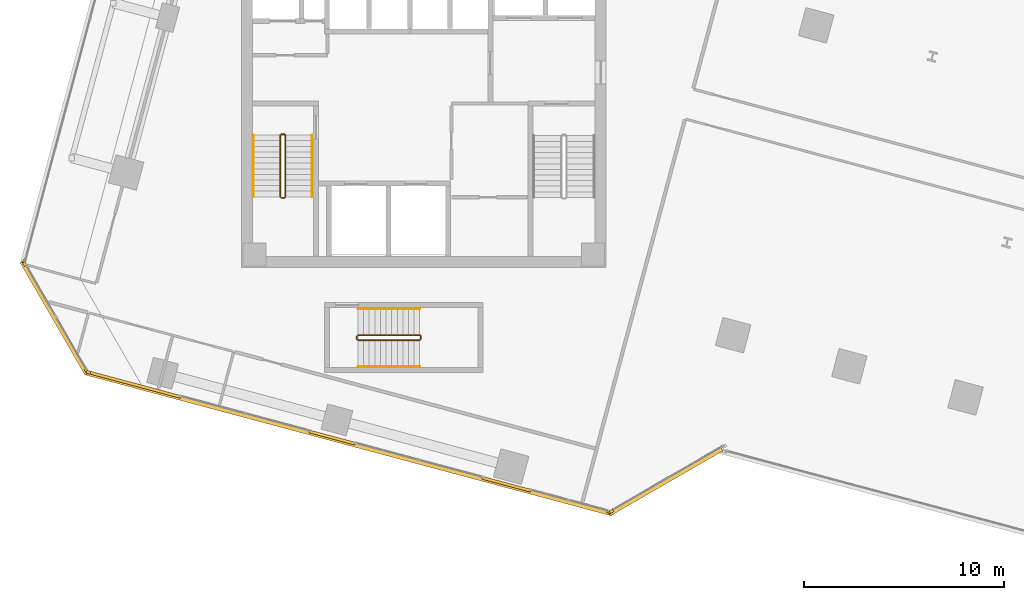
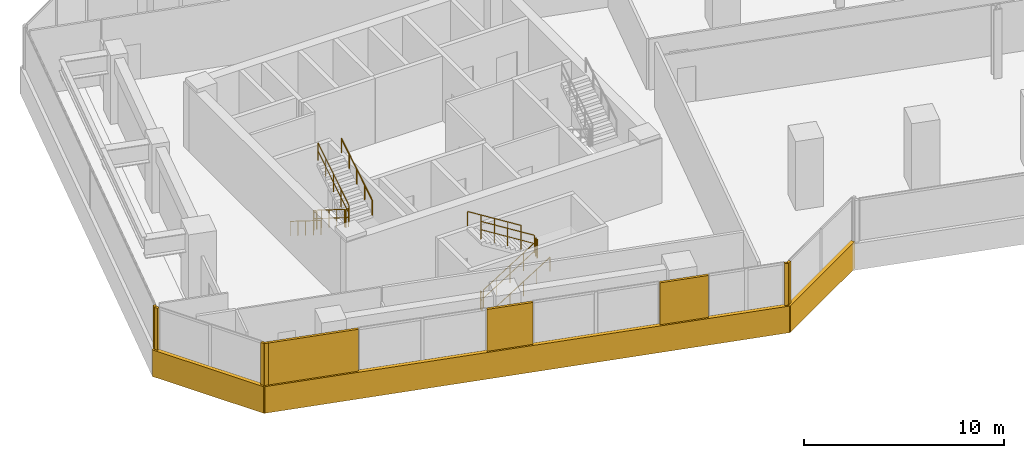
# One storey, part 22 of 26: 12 coverings, 12 railings.
"""IFC4 building model written with IfcOpenShell, lengths in metres."""

from ifc_helpers import new_model, si_unit, direction, frame, origin, origin_2d, place, context, subcontext, project, spatial, rectangle, circle, extrude, source, transform, mapped, material, layer, layer_set, type_object, element, save


model = new_model("IFC4")

# Units and contexts
model_context = context("Model", 3, precision=1e-05, world=origin(), true_north=direction((0.0, 1.0)))
body_context = subcontext(model_context, "Body", "Model", "MODEL_VIEW")
ifc_project = project(units=[si_unit("LENGTHUNIT", "METRE"), si_unit("AREAUNIT", "SQUARE_METRE"), si_unit("VOLUMEUNIT", "CUBIC_METRE"), si_unit("PLANEANGLEUNIT", "RADIAN"), si_unit("MASSUNIT", "GRAM", prefix="KILO")], contexts=[model_context])

# Site, building, storey
site_placement = place(None, origin())
site = spatial("IfcSite", under=ifc_project, at=site_placement, CompositionType="ELEMENT")
building_placement = place(site_placement, origin())
building = spatial("IfcBuilding", under=site, at=building_placement, Name="Torre Montelarca", CompositionType="ELEMENT")
storey_placement = place(building_placement, frame((0.0, 0.0, 100.0)))
storey = spatial("IfcBuildingStorey", under=building, at=storey_placement, Name="L22", CompositionType="ELEMENT", Elevation=100.0)

# Railings
ifc_material_1 = material(Name="Powder-coated steel ASTM A500 Grade C", Category="steel")
railing_type_1 = type_object("IfcRailingType", Name="RL-GUARD-1100", PredefinedType="BALUSTRADE", material=ifc_material_1)
railing_1_placement = place(storey_placement, frame((10.85009765625, 30.5, 0.175048828125)))
element("IfcRailing", 1, at=railing_1_placement, inside=storey, type_object=railing_type_1, Name="L22 ST1 stair guard 1", PredefinedType="BALUSTRADE", context=body_context, shape_type="SweptSolid", body=[
    extrude(circle(Radius=0.02392578125, at=origin_2d()), frame((0.0, 0.0, 1.076171875), z_axis=(0.0, -0.847998304005, 0.529998940003), x_axis=(1.0, 0.0, 0.0)), (0.0, 0.0, 1.0), 3.632080078125),
    extrude(circle(Radius=0.02099609375, at=origin_2d()), frame((0.0, 0.0, 0.572021484375), z_axis=(0.0, -0.847998304005, 0.529998940003), x_axis=(1.0, 0.0, 0.0)), (0.0, 0.0, 1.0), 3.632080078125),
    extrude(circle(Radius=0.02099609375, at=origin_2d()), origin(), (0.0, 0.0, 1.0), 1.052001953125),
    extrude(circle(Radius=0.02099609375, at=origin_2d()), frame((0.0, -0.77001953125, 0.481201171875)), (0.0, 0.0, 1.0), 1.052001953125),
    extrude(circle(Radius=0.02099609375, at=origin_2d()), frame((0.0, -1.5400390625, 0.96240234375)), (0.0, 0.0, 1.0), 1.052001953125),
    extrude(circle(Radius=0.02099609375, at=origin_2d()), frame((0.0, -2.31005859375, 1.44384765625)), (0.0, 0.0, 1.0), 1.052001953125),
    extrude(circle(Radius=0.02099609375, at=origin_2d()), frame((0.0, -3.080078125, 1.925048828125)), (0.0, 0.0, 1.0), 1.052001953125),
])
railing_2_placement = place(storey_placement, frame((10.89990234375, 27.3701171875, 2.10009765625)))
element("IfcRailing", 2, at=railing_2_placement, inside=storey, type_object=railing_type_1, Name="L22 ST1 stair guard 2", PredefinedType="BALUSTRADE", context=body_context, shape_type="SweptSolid", body=[
    extrude(circle(Radius=0.02392578125, at=origin_2d()), frame((0.0, 0.0, 1.076171875), z_axis=(1.0, 0.0, 0.0), x_axis=(0.0, 1.0, 0.0)), (0.0, 0.0, 1.0), 0.150146484375),
    extrude(circle(Radius=0.02099609375, at=origin_2d()), frame((0.0, 0.0, 0.572021484375), z_axis=(1.0, 0.0, 0.0), x_axis=(0.0, 1.0, 0.0)), (0.0, 0.0, 1.0), 0.150146484375),
    extrude(circle(Radius=0.02099609375, at=origin_2d()), origin(), (0.0, 0.0, 1.0), 1.052001953125),
    extrude(circle(Radius=0.02099609375, at=origin_2d()), frame((0.150146484375, 0.0, 0.0)), (0.0, 0.0, 1.0), 1.052001953125),
])
railing_3_placement = place(storey_placement, frame((11.10009765625, 27.419921875, 2.27490234375)))
element("IfcRailing", 3, at=railing_3_placement, inside=storey, type_object=railing_type_1, Name="L22 ST1 stair guard 3", PredefinedType="BALUSTRADE", context=body_context, shape_type="SweptSolid", body=[
    extrude(circle(Radius=0.02392578125, at=origin_2d()), frame((0.0, 0.0, 1.076171875), z_axis=(0.0, 0.847998304005, 0.529998940003), x_axis=(-1.0, 0.0, 0.0)), (0.0, 0.0, 1.0), 3.632080078125),
    extrude(circle(Radius=0.02099609375, at=origin_2d()), frame((0.0, 0.0, 0.572021484375), z_axis=(0.0, 0.847998304005, 0.529998940003), x_axis=(-1.0, 0.0, 0.0)), (0.0, 0.0, 1.0), 3.632080078125),
    extrude(circle(Radius=0.02099609375, at=origin_2d()), origin(), (0.0, 0.0, 1.0), 1.052001953125),
    extrude(circle(Radius=0.02099609375, at=origin_2d()), frame((0.0, 0.77001953125, 0.481201171875)), (0.0, 0.0, 1.0), 1.052001953125),
    extrude(circle(Radius=0.02099609375, at=origin_2d()), frame((0.0, 1.5400390625, 0.96240234375)), (0.0, 0.0, 1.0), 1.052001953125),
    extrude(circle(Radius=0.02099609375, at=origin_2d()), frame((0.0, 2.31005859375, 1.44384765625)), (0.0, 0.0, 1.0), 1.052001953125),
    extrude(circle(Radius=0.02099609375, at=origin_2d()), frame((0.0, 3.080078125, 1.925048828125)), (0.0, 0.0, 1.0), 1.052001953125),
])
railing_4_placement = place(storey_placement, frame((10.89990234375, 30.550048828125, 0.0)))
element("IfcRailing", 4, at=railing_4_placement, inside=storey, type_object=railing_type_1, Name="L22 ST1 stair guard 4", PredefinedType="BALUSTRADE", context=body_context, shape_type="SweptSolid", body=[
    extrude(circle(Radius=0.02392578125, at=origin_2d()), frame((0.0, 0.0, 1.076171875), z_axis=(1.0, 0.0, 0.0), x_axis=(0.0, 1.0, 0.0)), (0.0, 0.0, 1.0), 0.150146484375),
    extrude(circle(Radius=0.02099609375, at=origin_2d()), frame((0.0, 0.0, 0.572021484375), z_axis=(1.0, 0.0, 0.0), x_axis=(0.0, 1.0, 0.0)), (0.0, 0.0, 1.0), 0.150146484375),
    extrude(circle(Radius=0.02099609375, at=origin_2d()), origin(), (0.0, 0.0, 1.0), 1.052001953125),
    extrude(circle(Radius=0.02099609375, at=origin_2d()), frame((0.150146484375, 0.0, 0.0)), (0.0, 0.0, 1.0), 1.052001953125),
])
railing_5_placement = place(storey_placement, frame((14.719970703125, 20.27001953125, 0.175048828125)))
element("IfcRailing", 5, at=railing_5_placement, inside=storey, type_object=railing_type_1, Name="L22 ST3 stair guard 1", PredefinedType="BALUSTRADE", context=body_context, shape_type="SweptSolid", body=[
    extrude(circle(Radius=0.02392578125, at=origin_2d()), frame((0.0, 0.0, 1.076171875), z_axis=(0.847998304005, 0.0, 0.529998940003), x_axis=(0.0, 1.0, 0.0)), (0.0, 0.0, 1.0), 3.632080078125),
    extrude(circle(Radius=0.02099609375, at=origin_2d()), frame((0.0, 0.0, 0.572021484375), z_axis=(0.847998304005, 0.0, 0.529998940003), x_axis=(0.0, 1.0, 0.0)), (0.0, 0.0, 1.0), 3.632080078125),
    extrude(circle(Radius=0.02099609375, at=origin_2d()), origin(), (0.0, 0.0, 1.0), 1.052001953125),
    extrude(circle(Radius=0.02099609375, at=origin_2d()), frame((0.77001953125, 0.0, 0.481201171875)), (0.0, 0.0, 1.0), 1.052001953125),
    extrude(circle(Radius=0.02099609375, at=origin_2d()), frame((1.5400390625, 0.0, 0.96240234375)), (0.0, 0.0, 1.0), 1.052001953125),
    extrude(circle(Radius=0.02099609375, at=origin_2d()), frame((2.31005859375, 0.0, 1.44384765625)), (0.0, 0.0, 1.0), 1.052001953125),
    extrude(circle(Radius=0.02099609375, at=origin_2d()), frame((3.080078125, 0.0, 1.925048828125)), (0.0, 0.0, 1.0), 1.052001953125),
])
railing_6_placement = place(storey_placement, frame((17.85009765625, 20.320068359375, 2.10009765625)))
element("IfcRailing", 6, at=railing_6_placement, inside=storey, type_object=railing_type_1, Name="L22 ST3 stair guard 2", PredefinedType="BALUSTRADE", context=body_context, shape_type="SweptSolid", body=[
    extrude(circle(Radius=0.02392578125, at=origin_2d()), frame((0.0, 0.0, 1.076171875), z_axis=(0.0, 1.0, 0.0), x_axis=(-1.0, 0.0, 0.0)), (0.0, 0.0, 1.0), 0.14990234375),
    extrude(circle(Radius=0.02099609375, at=origin_2d()), frame((0.0, 0.0, 0.572021484375), z_axis=(0.0, 1.0, 0.0), x_axis=(-1.0, 0.0, 0.0)), (0.0, 0.0, 1.0), 0.14990234375),
    extrude(circle(Radius=0.02099609375, at=origin_2d()), origin(), (0.0, 0.0, 1.0), 1.052001953125),
    extrude(circle(Radius=0.02099609375, at=origin_2d()), frame((0.0, 0.14990234375, 0.0)), (0.0, 0.0, 1.0), 1.052001953125),
])
railing_7_placement = place(storey_placement, frame((17.800048828125, 20.52001953125, 2.27490234375)))
element("IfcRailing", 7, at=railing_7_placement, inside=storey, type_object=railing_type_1, Name="L22 ST3 stair guard 3", PredefinedType="BALUSTRADE", context=body_context, shape_type="SweptSolid", body=[
    extrude(circle(Radius=0.02392578125, at=origin_2d()), frame((0.0, 0.0, 1.076171875), z_axis=(-0.847998304005, 0.0, 0.529998940003), x_axis=(0.0, -1.0, 0.0)), (0.0, 0.0, 1.0), 3.632080078125),
    extrude(circle(Radius=0.02099609375, at=origin_2d()), frame((0.0, 0.0, 0.572021484375), z_axis=(-0.847998304005, 0.0, 0.529998940003), x_axis=(0.0, -1.0, 0.0)), (0.0, 0.0, 1.0), 3.632080078125),
    extrude(circle(Radius=0.02099609375, at=origin_2d()), origin(), (0.0, 0.0, 1.0), 1.052001953125),
    extrude(circle(Radius=0.02099609375, at=origin_2d()), frame((-0.77001953125, 0.0, 0.481201171875)), (0.0, 0.0, 1.0), 1.052001953125),
    extrude(circle(Radius=0.02099609375, at=origin_2d()), frame((-1.5400390625, 0.0, 0.96240234375)), (0.0, 0.0, 1.0), 1.052001953125),
    extrude(circle(Radius=0.02099609375, at=origin_2d()), frame((-2.31005859375, 0.0, 1.44384765625)), (0.0, 0.0, 1.0), 1.052001953125),
    extrude(circle(Radius=0.02099609375, at=origin_2d()), frame((-3.080078125, 0.0, 1.925048828125)), (0.0, 0.0, 1.0), 1.052001953125),
])
railing_8_placement = place(storey_placement, frame((14.669921875, 20.320068359375, 0.0)))
element("IfcRailing", 8, at=railing_8_placement, inside=storey, type_object=railing_type_1, Name="L22 ST3 stair guard 4", PredefinedType="BALUSTRADE", context=body_context, shape_type="SweptSolid", body=[
    extrude(circle(Radius=0.02392578125, at=origin_2d()), frame((0.0, 0.0, 1.076171875), z_axis=(0.0, 1.0, 0.0), x_axis=(-1.0, 0.0, 0.0)), (0.0, 0.0, 1.0), 0.14990234375),
    extrude(circle(Radius=0.02099609375, at=origin_2d()), frame((0.0, 0.0, 0.572021484375), z_axis=(0.0, 1.0, 0.0), x_axis=(-1.0, 0.0, 0.0)), (0.0, 0.0, 1.0), 0.14990234375),
    extrude(circle(Radius=0.02099609375, at=origin_2d()), origin(), (0.0, 0.0, 1.0), 1.052001953125),
    extrude(circle(Radius=0.02099609375, at=origin_2d()), frame((0.0, 0.14990234375, 0.0)), (0.0, 0.0, 1.0), 1.052001953125),
])
ifc_material_2 = material(Name="Brushed stainless steel AISI 316", Category="steel")
railing_type_2 = type_object("IfcRailingType", Name="RL-HANDRAIL-900", PredefinedType="HANDRAIL", material=ifc_material_2)
railing_9_placement = place(storey_placement, frame((9.5, 30.5, 0.175048828125)))
element("IfcRailing", 9, at=railing_9_placement, inside=storey, type_object=railing_type_2, Name="L22 ST1 stair handrail 1", PredefinedType="HANDRAIL", context=body_context, shape_type="SweptSolid", body=[
    extrude(circle(Radius=0.02392578125, at=origin_2d()), frame((0.0, 0.0, 0.8759765625), z_axis=(0.0, -0.847998304005, 0.529998940003), x_axis=(1.0, 0.0, 0.0)), (0.0, 0.0, 1.0), 3.632080078125),
    extrude(circle(Radius=0.02099609375, at=origin_2d()), origin(), (0.0, 0.0, 1.0), 0.851806640625),
    extrude(circle(Radius=0.02099609375, at=origin_2d()), frame((0.0, -0.77001953125, 0.481201171875)), (0.0, 0.0, 1.0), 0.851806640625),
    extrude(circle(Radius=0.02099609375, at=origin_2d()), frame((0.0, -1.5400390625, 0.96240234375)), (0.0, 0.0, 1.0), 0.851806640625),
    extrude(circle(Radius=0.02099609375, at=origin_2d()), frame((0.0, -2.31005859375, 1.44384765625)), (0.0, 0.0, 1.0), 0.851806640625),
    extrude(circle(Radius=0.02099609375, at=origin_2d()), frame((0.0, -3.080078125, 1.925048828125)), (0.0, 0.0, 1.0), 0.851806640625),
])
railing_10_placement = place(storey_placement, frame((12.449951171875, 27.419921875, 2.27490234375)))
element("IfcRailing", 10, at=railing_10_placement, inside=storey, type_object=railing_type_2, Name="L22 ST1 stair handrail 2", PredefinedType="HANDRAIL", context=body_context, shape_type="SweptSolid", body=[
    extrude(circle(Radius=0.02392578125, at=origin_2d()), frame((0.0, 0.0, 0.8759765625), z_axis=(0.0, 0.847998304005, 0.529998940003), x_axis=(-1.0, 0.0, 0.0)), (0.0, 0.0, 1.0), 3.632080078125),
    extrude(circle(Radius=0.02099609375, at=origin_2d()), origin(), (0.0, 0.0, 1.0), 0.851806640625),
    extrude(circle(Radius=0.02099609375, at=origin_2d()), frame((0.0, 0.77001953125, 0.481201171875)), (0.0, 0.0, 1.0), 0.851806640625),
    extrude(circle(Radius=0.02099609375, at=origin_2d()), frame((0.0, 1.5400390625, 0.96240234375)), (0.0, 0.0, 1.0), 0.851806640625),
    extrude(circle(Radius=0.02099609375, at=origin_2d()), frame((0.0, 2.31005859375, 1.44384765625)), (0.0, 0.0, 1.0), 0.851806640625),
    extrude(circle(Radius=0.02099609375, at=origin_2d()), frame((0.0, 3.080078125, 1.925048828125)), (0.0, 0.0, 1.0), 0.851806640625),
])
railing_11_placement = place(storey_placement, frame((14.719970703125, 18.949951171875, 0.175048828125)))
element("IfcRailing", 11, at=railing_11_placement, inside=storey, type_object=railing_type_2, Name="L22 ST3 stair handrail 1", PredefinedType="HANDRAIL", context=body_context, shape_type="SweptSolid", body=[
    extrude(circle(Radius=0.02392578125, at=origin_2d()), frame((0.0, 0.0, 0.8759765625), z_axis=(0.847998304005, 0.0, 0.529998940003), x_axis=(0.0, 1.0, 0.0)), (0.0, 0.0, 1.0), 3.632080078125),
    extrude(circle(Radius=0.02099609375, at=origin_2d()), origin(), (0.0, 0.0, 1.0), 0.851806640625),
    extrude(circle(Radius=0.02099609375, at=origin_2d()), frame((0.77001953125, 0.0, 0.481201171875)), (0.0, 0.0, 1.0), 0.851806640625),
    extrude(circle(Radius=0.02099609375, at=origin_2d()), frame((1.5400390625, 0.0, 0.96240234375)), (0.0, 0.0, 1.0), 0.851806640625),
    extrude(circle(Radius=0.02099609375, at=origin_2d()), frame((2.31005859375, 0.0, 1.44384765625)), (0.0, 0.0, 1.0), 0.851806640625),
    extrude(circle(Radius=0.02099609375, at=origin_2d()), frame((3.080078125, 0.0, 1.925048828125)), (0.0, 0.0, 1.0), 0.851806640625),
])
railing_12_placement = place(storey_placement, frame((17.800048828125, 21.840087890625, 2.27490234375)))
element("IfcRailing", 12, at=railing_12_placement, inside=storey, type_object=railing_type_2, Name="L22 ST3 stair handrail 2", PredefinedType="HANDRAIL", context=body_context, shape_type="SweptSolid", body=[
    extrude(circle(Radius=0.02392578125, at=origin_2d()), frame((0.0, 0.0, 0.8759765625), z_axis=(-0.847998304005, 0.0, 0.529998940003), x_axis=(0.0, -1.0, 0.0)), (0.0, 0.0, 1.0), 3.632080078125),
    extrude(circle(Radius=0.02099609375, at=origin_2d()), origin(), (0.0, 0.0, 1.0), 0.851806640625),
    extrude(circle(Radius=0.02099609375, at=origin_2d()), frame((-0.77001953125, 0.0, 0.481201171875)), (0.0, 0.0, 1.0), 0.851806640625),
    extrude(circle(Radius=0.02099609375, at=origin_2d()), frame((-1.5400390625, 0.0, 0.96240234375)), (0.0, 0.0, 1.0), 0.851806640625),
    extrude(circle(Radius=0.02099609375, at=origin_2d()), frame((-2.31005859375, 0.0, 1.44384765625)), (0.0, 0.0, 1.0), 0.851806640625),
    extrude(circle(Radius=0.02099609375, at=origin_2d()), frame((-3.080078125, 0.0, 1.925048828125)), (0.0, 0.0, 1.0), 0.851806640625),
])

# Coverings
ifc_material_3 = material(Name="Bush-hammered warm white precast concrete C45/55", Category="concrete")
ifc_layer = layer(ifc_material_3, 0.139892578125, Name="Bush-hammered warm white precast concrete C45/55", Category="concrete")
ifc_layer_set = layer_set([ifc_layer], Name="Bush-hammered warm white precast concrete C45/55")
covering_type = type_object("IfcCoveringType", Name="COV-TRAY-CLAD", PredefinedType="CLADDING", material=ifc_layer_set)
shared_shape_1 = source(origin(), body_context, "Body", "SweptSolid", [
    extrude(rectangle(XDim=6.48388671875, YDim=0.219970703125, at=origin_2d()), origin(), (0.0, 0.0, 1.0), 1.6201171875),
])
for number, where, z_axis, x_axis, name in (
    (13, (30.05859375, 13.216064453125, -0.449951171875), (0.0, 0.0, 1.0), (0.866021913105, 0.500006045986, 0.0), "L22 Architectural White Spandrel Tray Band TRYBOT-02"),
    (14, (-0.423583984375, 21.3837890625, -0.449951171875), (0.0, 0.0, 1.0), (0.4999984885, -0.866026276448, 0.0), "L22 Architectural White Spandrel Tray Band TRYBOT-11"),
):
    element("IfcCovering", number, at=place(storey_placement, frame(where, z_axis=z_axis, x_axis=x_axis)), inside=storey, type_object=covering_type, Name=name, PredefinedType="CLADDING", context=body_context, shape_type="MappedRepresentation", body=[
        mapped(shared_shape_1, transform((0.0, 0.0, 0.0), scale=1.0)),
    ])
shared_shape_2 = source(origin(), body_context, "Body", "SweptSolid", [
    extrude(rectangle(XDim=27.219970703125, YDim=0.219970703125, at=origin_2d()), origin(), (0.0, 0.0, 1.0), 1.6201171875),
])
covering_1_placement = place(storey_placement, frame((14.237548828125, 15.135009765625, -0.449951171875), z_axis=(0.0, 0.0, 1.0), x_axis=(0.965925826289, -0.258819045103, 0.0)))
element("IfcCovering", 15, at=covering_1_placement, inside=storey, type_object=covering_type, Name="L22 Architectural White Spandrel Tray Band TRYBOT-01", PredefinedType="CLADDING", context=body_context, shape_type="MappedRepresentation", body=[
    mapped(shared_shape_2, transform((0.0, 0.0, 0.0), scale=1.0)),
])
shared_shape_3 = source(origin(), body_context, "Body", "SweptSolid", [
    extrude(rectangle(XDim=0.199951171875, YDim=0.139892578125, at=origin_2d()), origin(), (0.0, 0.0, 1.0), 3.719970703125),
])
for number, where, z_axis, x_axis, name in (
    (16, (1.276611328125, 18.669921875, 0.0), (0.0, 0.0, 1.0), (0.965925826289, -0.258819045103, 0.0), "L22 Architectural Column Pier Cladding E01-1"),
    (17, (27.2294921875, 11.7158203125, 0.0), (0.0, 0.0, 1.0), (0.965925826289, -0.258819045103, 0.0), "L22 Architectural Column Pier Cladding E01-5"),
    (18, (27.373291015625, 11.73486328125, 0.0), (0.0, 0.0, 1.0), (0.866024531118, 0.500001511499, 0.0), "L22 Architectural Column Pier Cladding E02-1"),
    (19, (-1.923583984375, 24.212890625, 0.0), (0.0, 0.0, 1.0), (-0.258819045103, -0.965925826289, 0.0), "L22 Architectural Column Pier Cladding E10-2"),
    (20, (-1.904541015625, 24.069091796875, 0.0), (0.0, 0.0, 1.0), (0.500001511499, -0.866024531118, 0.0), "L22 Architectural Column Pier Cladding E11-1"),
    (21, (1.16162109375, 18.75830078125, 0.0), (0.0, 0.0, 1.0), (0.500001511499, -0.866024531118, 0.0), "L22 Architectural Column Pier Cladding E11-2"),
):
    element("IfcCovering", number, at=place(storey_placement, frame(where, z_axis=z_axis, x_axis=x_axis)), inside=storey, type_object=covering_type, Name=name, PredefinedType="CLADDING", context=body_context, shape_type="MappedRepresentation", body=[
        mapped(shared_shape_3, transform((0.0, 0.0, 0.0), scale=1.0)),
    ])
shared_shape_4 = source(origin(), body_context, "Body", "SweptSolid", [
    extrude(rectangle(XDim=4.76416015625, YDim=0.139892578125, at=origin_2d()), origin(), (0.0, 0.0, 1.0), 3.719970703125),
])
covering_2_placement = place(storey_placement, frame((3.57763671875, 18.053466796875, 0.0), z_axis=(0.0, 0.0, 1.0), x_axis=(0.965925826289, -0.258819045103, 0.0)))
element("IfcCovering", 22, at=covering_2_placement, inside=storey, type_object=covering_type, Name="L22 Architectural Column Pier Cladding E01-2", PredefinedType="CLADDING", context=body_context, shape_type="MappedRepresentation", body=[
    mapped(shared_shape_4, transform((0.0, 0.0, 0.0), scale=1.0)),
])
shared_shape_5 = source(origin(), body_context, "Body", "SweptSolid", [
    extrude(rectangle(XDim=2.360107421875, YDim=0.139892578125, at=origin_2d()), origin(), (0.0, 0.0, 1.0), 3.719970703125),
])
covering_3_placement = place(storey_placement, frame((13.43212890625, 15.412841796875, 0.0), z_axis=(0.0, 0.0, 1.0), x_axis=(0.965925826289, -0.258819045103, 0.0)))
element("IfcCovering", 23, at=covering_3_placement, inside=storey, type_object=covering_type, Name="L22 Architectural Column Pier Cladding E01-3", PredefinedType="CLADDING", context=body_context, shape_type="MappedRepresentation", body=[
    mapped(shared_shape_5, transform((0.0, 0.0, 0.0), scale=1.0)),
])
shared_shape_6 = source(origin(), body_context, "Body", "SweptSolid", [
    extrude(rectangle(XDim=2.510009765625, YDim=0.139892578125, at=origin_2d()), origin(), (0.0, 0.0, 1.0), 3.719970703125),
])
covering_4_placement = place(storey_placement, frame((22.12548828125, 13.08349609375, 0.0), z_axis=(0.0, 0.0, 1.0), x_axis=(0.965925826289, -0.258819045103, 0.0)))
element("IfcCovering", 24, at=covering_4_placement, inside=storey, type_object=covering_type, Name="L22 Architectural Column Pier Cladding E01-4", PredefinedType="CLADDING", context=body_context, shape_type="MappedRepresentation", body=[
    mapped(shared_shape_6, transform((0.0, 0.0, 0.0), scale=1.0)),
])

save(model, "model.ifc")
